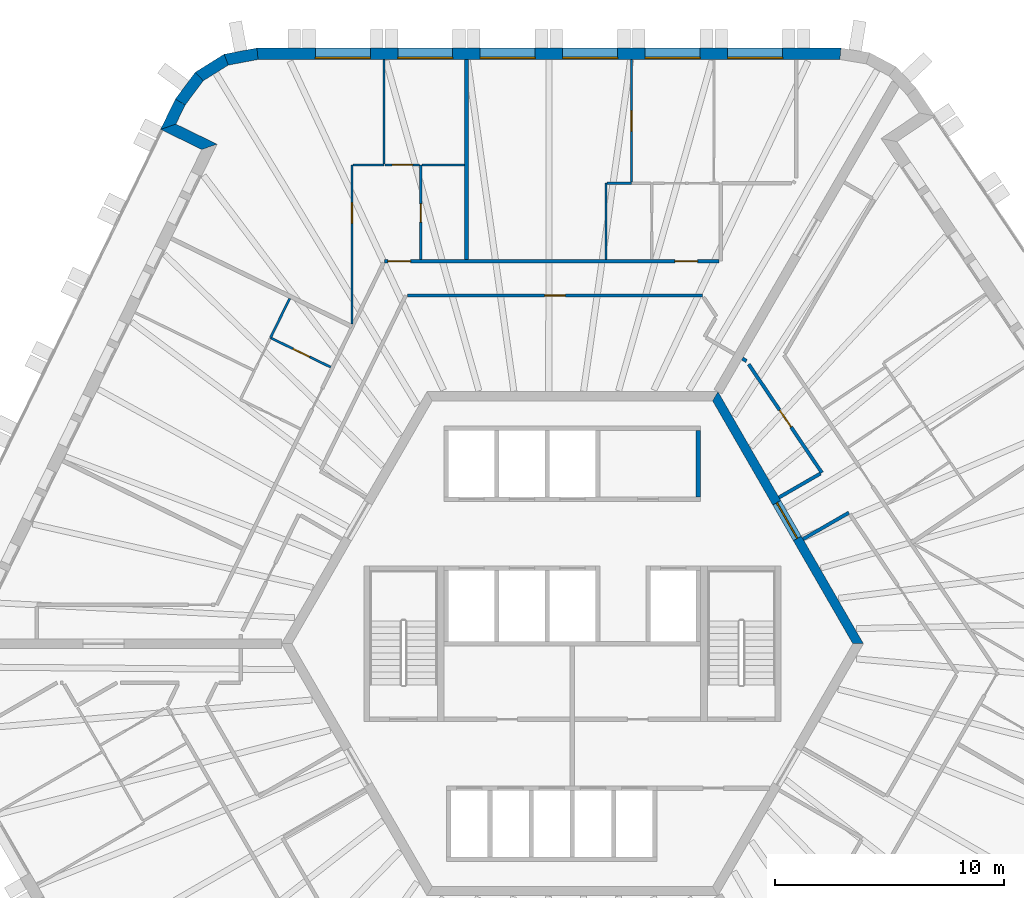
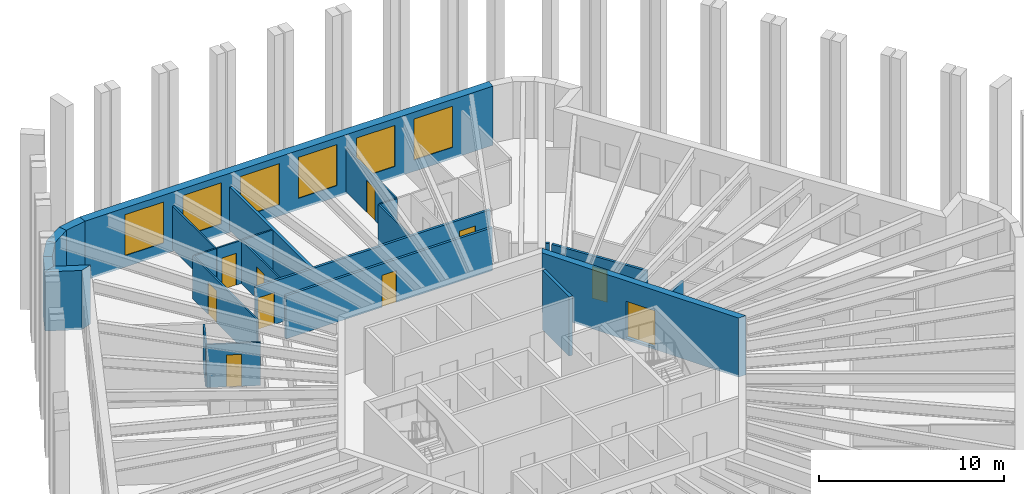
# One storey, part 9 of 13: 26 walls, 10 doors, 6 windows, 16 openings.
"""IFC4 building model written with IfcOpenShell, lengths in metres."""

from ifc_helpers import new_model, si_unit, direction, frame, frame_2d, origin, place, context, subcontext, project, spatial, polyline, rectangle, outline, extrude, material, layer, layer_set, type_object, element, fill, save


model = new_model("IFC4")

# Units and contexts
model_context = context("Model", 3, precision=1e-05, world=origin(), true_north=direction((0.0, 1.0)))
body_context = subcontext(model_context, "Body", "Model", "MODEL_VIEW")
ifc_project = project(units=[si_unit("LENGTHUNIT", "METRE"), si_unit("AREAUNIT", "SQUARE_METRE"), si_unit("VOLUMEUNIT", "CUBIC_METRE"), si_unit("PLANEANGLEUNIT", "RADIAN"), si_unit("MASSUNIT", "GRAM", prefix="KILO")], contexts=[model_context])

# Site, building, storey
site_placement = place(None, origin())
site = spatial("IfcSite", under=ifc_project, at=site_placement, CompositionType="ELEMENT")
building_placement = place(site_placement, origin())
building = spatial("IfcBuilding", under=site, at=building_placement, Name="Tarnside Tower", CompositionType="ELEMENT")
storey_placement = place(building_placement, frame((0.0, 0.0, 326.39990234375)))
storey = spatial("IfcBuildingStorey", under=building, at=storey_placement, Name="L79", CompositionType="ELEMENT", Elevation=326.39990234375)

# Walls
ifc_material_1 = material(Name="Gypsum board partition on steel studs", Category="steel")
ifc_layer_1 = layer(ifc_material_1, 0.10009765625)
ifc_layer_set_1 = layer_set([ifc_layer_1], Name="Bathroom wall 100")
wall_type_1 = type_object("IfcWallType", Name="Bathroom wall 100", PredefinedType="PARTITIONING", material=ifc_layer_set_1)
wall_1_placement = place(storey_placement, frame((1.467041015625, 16.77490234375, 0.0), z_axis=(0.0, 0.0, 1.0), x_axis=(0.0, 1.0, 0.0)))
element("IfcWall", 1, at=wall_1_placement, inside=storey, type_object=wall_type_1, Name="Bathroom wall 26084", PredefinedType="PARTITIONING", context=body_context, shape_type="SweptSolid", body=[
    extrude(rectangle(XDim=3.3251953125, YDim=0.10009765625, at=frame_2d((1.66259765625, 0.0))), origin(), (0.0, 0.0, 1.0), 2.837890625),
])
wall_2_placement = place(storey_placement, frame((1.51708984375, 20.10009765625, 0.0), z_axis=(0.0, 0.0, 1.0), x_axis=(1.0, 0.0, 0.0)))
element("IfcWall", 2, at=wall_2_placement, inside=storey, type_object=wall_type_1, Name="Bathroom wall 26085", PredefinedType="PARTITIONING", context=body_context, shape_type="SweptSolid", body=[
    extrude(rectangle(XDim=1.06005859375, YDim=0.10009765625, at=frame_2d((0.530029296875, 0.0))), origin(), (0.0, 0.0, 1.0), 2.837890625),
])

# Wall, opening, door
wall_3_placement = place(storey_placement, frame((-6.624755859375, 16.77490234375, 0.0), z_axis=(0.0, 0.0, 1.0), x_axis=(0.0, 1.0, 0.0)))
wall_3 = element("IfcWall", 3, at=wall_3_placement, inside=storey, type_object=wall_type_1, Name="Bathroom wall 26099", PredefinedType="PARTITIONING", context=body_context, shape_type="SweptSolid", body=[
    extrude(rectangle(XDim=4.125, YDim=0.10009765625, at=frame_2d((2.0625, 0.0))), origin(), (0.0, 0.0, 1.0), 2.837890625),
])
opening_1_placement = place(wall_3_placement, frame((1.625, 0.0, 0.0)))
opening_1 = element("IfcOpeningElement", 4, at=opening_1_placement, cuts=wall_3, Name="Opening D-B1", PredefinedType="OPENING", context=body_context, shape_type="SweptSolid", body=[
    extrude(rectangle(XDim=0.800048828125, YDim=2.10009765625, at=frame_2d((0.39990234375, 1.050048828125))), frame((0.0, 0.06005859375, 0.0), z_axis=(0.0, -1.0, 0.0), x_axis=(1.0, 0.0, 0.0)), (0.0, 0.0, 1.0), 0.1201171875),
])
ifc_material_2 = material(Name="Timber door leaf", Category="wood")
door_type_1 = type_object("IfcDoorType", Name="Bathroom door 800", OperationType="NOTDEFINED", PredefinedType="DOOR", material=ifc_material_2)
door_1_placement = place(opening_1_placement, origin())
door_1 = element("IfcDoor", 5, at=door_1_placement, inside=storey, type_object=door_type_1, Name="Bathroom door 26011", OperationType="SINGLE_SWING_RIGHT", OverallHeight=2.10009765625, OverallWidth=0.800048828125, PredefinedType="DOOR", context=body_context, shape_type="SweptSolid", body=[
    extrude(rectangle(XDim=0.800048828125, YDim=2.10009765625, at=frame_2d((0.39990234375, 1.050048828125))), frame((0.0, 0.02490234375, 0.0), z_axis=(0.0, -1.0, 0.0), x_axis=(1.0, 0.0, 0.0)), (0.0, 0.0, 1.0), 0.050048828125),
])
fill(opening_1, door_1)

# Wall
wall_4_placement = place(storey_placement, frame((-4.71484375, 20.89990234375, 0.0), z_axis=(0.0, 0.0, 1.0), x_axis=(-1.0, 0.0, 0.0)))
element("IfcWall", 6, at=wall_4_placement, inside=storey, type_object=wall_type_1, Name="Bathroom wall 26101", PredefinedType="PARTITIONING", context=body_context, shape_type="SweptSolid", body=[
    extrude(rectangle(XDim=1.862060546875, YDim=0.10009765625, at=frame_2d((0.93115234375, 0.0))), origin(), (0.0, 0.0, 1.0), 2.837890625),
])

# Wall, opening, door
wall_5_placement = place(storey_placement, frame((-10.551025390625, 12.07177734375, 0.0), z_axis=(0.0, 0.0, 1.0), x_axis=(-0.898790906006, 0.438377585285, 0.0)))
wall_5 = element("IfcWall", 7, at=wall_5_placement, inside=storey, type_object=wall_type_1, Name="Bathroom wall 26106", PredefinedType="PARTITIONING", context=body_context, shape_type="SweptSolid", body=[
    extrude(rectangle(XDim=2.925048828125, YDim=0.10009765625, at=frame_2d((1.46240234375, 0.0))), origin(), (0.0, 0.0, 1.0), 2.837890625),
])
opening_2_placement = place(wall_5_placement, frame((1.02490234375, 0.0, 0.0)))
opening_2 = element("IfcOpeningElement", 8, at=opening_2_placement, cuts=wall_5, Name="Opening D-B1", PredefinedType="OPENING", context=body_context, shape_type="SweptSolid", body=[
    extrude(rectangle(XDim=0.800048828125, YDim=2.10009765625, at=frame_2d((0.39990234375, 1.050048828125))), frame((0.0, 0.06005859375, 0.0), z_axis=(0.0, -1.0, 0.0), x_axis=(1.0, 0.0, 0.0)), (0.0, 0.0, 1.0), 0.1201171875),
])
door_2_placement = place(opening_2_placement, origin())
door_2 = element("IfcDoor", 9, at=door_2_placement, inside=storey, type_object=door_type_1, Name="Bathroom door 26015", OperationType="SINGLE_SWING_RIGHT", OverallHeight=2.10009765625, OverallWidth=0.800048828125, PredefinedType="DOOR", context=body_context, shape_type="SweptSolid", body=[
    extrude(rectangle(XDim=0.800048828125, YDim=2.10009765625, at=frame_2d((0.39990234375, 1.050048828125))), frame((0.0, 0.02490234375, 0.0), z_axis=(0.0, -1.0, 0.0), x_axis=(1.0, 0.0, 0.0)), (0.0, 0.0, 1.0), 0.050048828125),
])
fill(opening_2, door_2)

# Wall
wall_6_placement = place(storey_placement, frame((-12.342529296875, 15.070556640625, 0.0), z_axis=(0.0, 0.0, 1.0), x_axis=(-0.438458849983, -0.898751265296, 0.0)))
element("IfcWall", 10, at=wall_6_placement, inside=storey, type_object=wall_type_1, Name="Bathroom wall 26108", PredefinedType="PARTITIONING", context=body_context, shape_type="SweptSolid", body=[
    extrude(rectangle(XDim=1.912109375, YDim=0.10009765625, at=frame_2d((0.9560546875, 0.0))), origin(), (0.0, 0.0, 1.0), 2.837890625),
])

# Wall, opening, door
ifc_material_3 = material(Name="Concrete C60/75", Category="concrete")
ifc_layer_2 = layer(ifc_material_3, 0.39990234375)
ifc_layer_set_2 = layer_set([ifc_layer_2], Name="Core wall Z3 400 C60/75")
wall_type_2 = type_object("IfcWallType", Name="Core wall Z3 400 C60/75", PredefinedType="SHEAR", material=ifc_layer_set_2)
wall_7_placement = place(storey_placement, frame((12.470703125, 0.0, -0.14990234375), z_axis=(0.0, 0.0, 1.0), x_axis=(-0.499996419489, 0.866027470984, 0.0)))
wall_7 = element("IfcWall", 11, at=wall_7_placement, inside=storey, type_object=wall_type_2, Name="L79 core wall face 6", PredefinedType="SHEAR", context=body_context, shape_type="SweptSolid", body=[
    extrude(outline(polyline([(-0.115478515625, -0.199951171875), (12.586181640625, -0.199951171875), (12.355224609375, 0.199951171875), (0.115478515625, 0.199951171875), (-0.115478515625, -0.199951171875)])), origin(), (0.0, 0.0, 1.0), 3.89990234375),
])
opening_3_placement = place(wall_7_placement, frame((5.306396484375, 0.0, 0.14990234375)))
opening_3 = element("IfcOpeningElement", 12, at=opening_3_placement, cuts=wall_7, Name="Opening CD-LOB", PredefinedType="OPENING", context=body_context, shape_type="SweptSolid", body=[
    extrude(rectangle(XDim=1.800048828125, YDim=2.39990234375, at=frame_2d((0.89990234375, 1.199951171875))), frame((0.0, 0.2099609375, 0.0), z_axis=(0.0, -1.0, 0.0), x_axis=(1.0, 0.0, 0.0)), (0.0, 0.0, 1.0), 0.419921875),
])
ifc_material_4 = material(Name="Steel fire door", Category="steel")
door_type_2 = type_object("IfcDoorType", Name="Lobby double door FD30S 1800x2400", OperationType="NOTDEFINED", PredefinedType="DOOR", material=ifc_material_4)
door_3_placement = place(opening_3_placement, origin())
door_3 = element("IfcDoor", 13, at=door_3_placement, inside=storey, type_object=door_type_2, Name="L79 core door P2", OperationType="DOUBLE_DOOR_SINGLE_SWING", OverallHeight=2.39990234375, OverallWidth=1.800048828125, PredefinedType="DOOR", context=body_context, shape_type="SweptSolid", body=[
    extrude(rectangle(XDim=1.800048828125, YDim=2.39990234375, at=frame_2d((0.89990234375, 1.199951171875))), frame((0.0, 0.02490234375, 0.0), z_axis=(0.0, -1.0, 0.0), x_axis=(1.0, 0.0, 0.0)), (0.0, 0.0, 1.0), 0.050048828125),
])
fill(opening_3, door_3)

# Wall, openings, doors
ifc_layer_3 = layer(ifc_material_1, 0.14990234375)
ifc_layer_set_3 = layer_set([ifc_layer_3], Name="Corridor wall 150 EI 60")
wall_type_3 = type_object("IfcWallType", Name="Corridor wall 150 EI 60", PredefinedType="PARTITIONING", material=ifc_layer_set_3)
wall_8_placement = place(storey_placement, frame((6.39208984375, 16.699951171875, 0.0), z_axis=(0.0, 0.0, 1.0), x_axis=(-1.0, 0.0, 0.0)))
wall_8 = element("IfcWall", 14, at=wall_8_placement, inside=storey, type_object=wall_type_3, Name="Corridor wall 26001", PredefinedType="PARTITIONING", context=body_context, shape_type="SweptSolid", body=[
    extrude(rectangle(XDim=14.602294921875, YDim=0.14990234375, at=frame_2d((7.30126953125, 0.0))), origin(), (0.0, 0.0, 1.0), 2.837890625),
])
opening_4_placement = place(wall_8_placement, frame((0.925048828125, 0.0, 0.0)))
opening_4 = element("IfcOpeningElement", 15, at=opening_4_placement, cuts=wall_8, Name="Opening D-E1", PredefinedType="OPENING", context=body_context, shape_type="SweptSolid", body=[
    extrude(rectangle(XDim=1.0, YDim=2.10009765625, at=frame_2d((0.5, 1.050048828125))), frame((0.0, 0.0849609375, 0.0), z_axis=(0.0, -1.0, 0.0), x_axis=(1.0, 0.0, 0.0)), (0.0, 0.0, 1.0), 0.169921875),
])
opening_5_placement = place(wall_8_placement, frame((13.4521484375, 0.0, 0.0)))
opening_5 = element("IfcOpeningElement", 16, at=opening_5_placement, cuts=wall_8, Name="Opening D-E1", PredefinedType="OPENING", context=body_context, shape_type="SweptSolid", body=[
    extrude(rectangle(XDim=1.0, YDim=2.10009765625, at=frame_2d((0.5, 1.050048828125))), frame((0.0, 0.0849609375, 0.0), z_axis=(0.0, -1.0, 0.0), x_axis=(1.0, 0.0, 0.0)), (0.0, 0.0, 1.0), 0.169921875),
])
door_type_3 = type_object("IfcDoorType", Name="Unit entrance door 1000 FD30S", OperationType="NOTDEFINED", PredefinedType="DOOR", material=ifc_material_2)
door_4_placement = place(opening_4_placement, origin())
door_4 = element("IfcDoor", 17, at=door_4_placement, inside=storey, type_object=door_type_3, Name="Unit door 26001", OperationType="SINGLE_SWING_RIGHT", OverallHeight=2.10009765625, OverallWidth=1.0, PredefinedType="DOOR", context=body_context, shape_type="SweptSolid", body=[
    extrude(rectangle(XDim=1.0, YDim=2.10009765625, at=frame_2d((0.5, 1.050048828125))), frame((0.0, 0.02490234375, 0.0), z_axis=(0.0, -1.0, 0.0), x_axis=(1.0, 0.0, 0.0)), (0.0, 0.0, 1.0), 0.050048828125),
])
fill(opening_4, door_4)
door_5_placement = place(opening_5_placement, origin())
door_5 = element("IfcDoor", 18, at=door_5_placement, inside=storey, type_object=door_type_3, Name="Unit door 26010", OperationType="SINGLE_SWING_LEFT", OverallHeight=2.10009765625, OverallWidth=1.0, PredefinedType="DOOR", context=body_context, shape_type="SweptSolid", body=[
    extrude(rectangle(XDim=1.0, YDim=2.10009765625, at=frame_2d((0.5, 1.050048828125))), frame((0.0, 0.02490234375, 0.0), z_axis=(0.0, -1.0, 0.0), x_axis=(1.0, 0.0, 0.0)), (0.0, 0.0, 1.0), 0.050048828125),
])
fill(opening_5, door_5)

# Wall, opening, door
wall_9_placement = place(storey_placement, frame((-7.189453125, 15.199951171875, 0.0), z_axis=(0.0, 0.0, 1.0), x_axis=(1.0, 0.0, 0.0)))
wall_9 = element("IfcWall", 19, at=wall_9_placement, inside=storey, type_object=wall_type_3, Name="Corridor wall 26019", PredefinedType="PARTITIONING", context=body_context, shape_type="SweptSolid", body=[
    extrude(rectangle(XDim=12.85888671875, YDim=0.14990234375, at=frame_2d((6.429443359375, 0.0))), origin(), (0.0, 0.0, 1.0), 2.837890625),
])
opening_6_placement = place(wall_9_placement, frame((5.9794921875, 0.0, 0.0)))
opening_6 = element("IfcOpeningElement", 20, at=opening_6_placement, cuts=wall_9, Name="Opening D-S1", PredefinedType="OPENING", context=body_context, shape_type="SweptSolid", body=[
    extrude(rectangle(XDim=0.89990234375, YDim=2.10009765625, at=frame_2d((0.449951171875, 1.050048828125))), frame((0.0, 0.0849609375, 0.0), z_axis=(0.0, -1.0, 0.0), x_axis=(1.0, 0.0, 0.0)), (0.0, 0.0, 1.0), 0.169921875),
])
door_type_4 = type_object("IfcDoorType", Name="Service room door 900 FD30S", OperationType="NOTDEFINED", PredefinedType="DOOR", material=ifc_material_2)
door_6_placement = place(opening_6_placement, origin())
door_6 = element("IfcDoor", 21, at=door_6_placement, inside=storey, type_object=door_type_4, Name="Service door 26072", OperationType="SINGLE_SWING_LEFT", OverallHeight=2.10009765625, OverallWidth=0.89990234375, PredefinedType="DOOR", context=body_context, shape_type="SweptSolid", body=[
    extrude(rectangle(XDim=0.89990234375, YDim=2.10009765625, at=frame_2d((0.449951171875, 1.050048828125))), frame((0.0, 0.02490234375, 0.0), z_axis=(0.0, -1.0, 0.0), x_axis=(1.0, 0.0, 0.0)), (0.0, 0.0, 1.0), 0.050048828125),
])
fill(opening_6, door_6)

# Walls
wall_10_placement = place(storey_placement, frame((10.065673828125, 4.565673828125, 0.0), z_axis=(0.0, 0.0, 1.0), x_axis=(0.866034075723, 0.499984979461, 0.0)))
element("IfcWall", 22, at=wall_10_placement, inside=storey, type_object=wall_type_3, Name="Corridor wall 26077", PredefinedType="PARTITIONING", context=body_context, shape_type="SweptSolid", body=[
    extrude(rectangle(XDim=2.3076171875, YDim=0.14990234375, at=frame_2d((1.15380859375, 0.0))), origin(), (0.0, 0.0, 1.0), 2.837890625),
])
wall_11_placement = place(storey_placement, frame((7.416259765625, 12.445556640625, 0.0), z_axis=(0.0, 0.0, 1.0), x_axis=(0.866378867349, -0.499387282788, 0.0)))
element("IfcWall", 23, at=wall_11_placement, inside=storey, type_object=wall_type_3, Name="Corridor wall 26081", PredefinedType="PARTITIONING", context=body_context, shape_type="SweptSolid", body=[
    extrude(rectangle(XDim=0.210205078125, YDim=0.14990234375, at=frame_2d((0.10498046875, 0.0))), origin(), (0.0, 0.0, 1.0), 2.837890625),
])

# Wall, opening, door
wall_12_placement = place(storey_placement, frame((7.69384765625, 12.19873046875, 0.0), z_axis=(0.0, 0.0, 1.0), x_axis=(0.55920112739, -0.829032025392, 0.0)))
wall_12 = element("IfcWall", 24, at=wall_12_placement, inside=storey, type_object=wall_type_3, Name="Corridor wall 26082", PredefinedType="PARTITIONING", context=body_context, shape_type="SweptSolid", body=[
    extrude(rectangle(XDim=5.710205078125, YDim=0.14990234375, at=frame_2d((2.85498046875, 0.0))), origin(), (0.0, 0.0, 1.0), 2.837890625),
])
opening_7_placement = place(wall_12_placement, frame((2.405029296875, 0.0, 0.0)))
opening_7 = element("IfcOpeningElement", 25, at=opening_7_placement, cuts=wall_12, Name="Opening D-S1", PredefinedType="OPENING", context=body_context, shape_type="SweptSolid", body=[
    extrude(rectangle(XDim=0.89990234375, YDim=2.10009765625, at=frame_2d((0.449951171875, 1.050048828125))), frame((0.0, 0.0849609375, 0.0), z_axis=(0.0, -1.0, 0.0), x_axis=(1.0, 0.0, 0.0)), (0.0, 0.0, 1.0), 0.169921875),
])
door_7_placement = place(opening_7_placement, origin())
door_7 = element("IfcDoor", 26, at=door_7_placement, inside=storey, type_object=door_type_4, Name="Service door 26077", OperationType="SINGLE_SWING_RIGHT", OverallHeight=2.10009765625, OverallWidth=0.89990234375, PredefinedType="DOOR", context=body_context, shape_type="SweptSolid", body=[
    extrude(rectangle(XDim=0.89990234375, YDim=2.10009765625, at=frame_2d((0.449951171875, 1.050048828125))), frame((0.0, 0.02490234375, 0.0), z_axis=(0.0, -1.0, 0.0), x_axis=(1.0, 0.0, 0.0)), (0.0, 0.0, 1.0), 0.050048828125),
])
fill(opening_7, door_7)

# Walls
wall_13_placement = place(storey_placement, frame((10.822021484375, 7.42724609375, 0.0), z_axis=(0.0, 0.0, 1.0), x_axis=(-0.866016009309, -0.500016271356, 0.0)))
element("IfcWall", 27, at=wall_13_placement, inside=storey, type_object=wall_type_3, Name="Corridor wall 26083", PredefinedType="PARTITIONING", context=body_context, shape_type="SweptSolid", body=[
    extrude(rectangle(XDim=2.0859375, YDim=0.14990234375, at=frame_2d((1.04296875, 0.0))), origin(), (0.0, 0.0, 1.0), 2.837890625),
])
ifc_layer_4 = layer(ifc_material_1, 0.179931640625)
ifc_layer_set_4 = layer_set([ifc_layer_4], Name="Demising wall 180 EI 60")
wall_type_4 = type_object("IfcWallType", Name="Demising wall 180 EI 60", PredefinedType="PARTITIONING", material=ifc_layer_set_4)
wall_14_placement = place(storey_placement, frame((-4.624755859375, 25.5, 0.0), z_axis=(0.0, 0.0, 1.0), x_axis=(0.0, -1.0, 0.0)))
element("IfcWall", 28, at=wall_14_placement, inside=storey, type_object=wall_type_4, Name="Demising wall 26087", PredefinedType="PARTITIONING", context=body_context, shape_type="SweptSolid", body=[
    extrude(rectangle(XDim=8.72509765625, YDim=0.179931640625, at=frame_2d((4.362548828125, 0.0))), origin(), (0.0, 0.0, 1.0), 2.837890625),
])
ifc_material_5 = material(Name="Concrete C40/50", Category="concrete")
ifc_layer_5 = layer(ifc_material_5, 0.199951171875)
ifc_layer_set_5 = layer_set([ifc_layer_5], Name="Lift shaft wall 200 C40/50")
wall_type_5 = type_object("IfcWallType", Name="Lift shaft wall 200 C40/50", PredefinedType="SHEAR", material=ifc_layer_set_5)
wall_15_placement = place(storey_placement, frame((5.5, 6.39990234375, -0.25), z_axis=(0.0, 0.0, 1.0), x_axis=(0.0, 1.0, 0.0)))
element("IfcWall", 29, at=wall_15_placement, inside=storey, type_object=wall_type_5, Name="L79 lift shaft partition R16", PredefinedType="SHEAR", context=body_context, shape_type="SweptSolid", body=[
    extrude(rectangle(XDim=2.900146484375, YDim=0.199951171875, at=frame_2d((1.4501953125, 0.0))), origin(), (0.0, 0.0, 1.0), 3.900146484375),
])
ifc_material_6 = material(Name="Dark zinc cladding")
ifc_layer_6 = layer(ifc_material_6, 0.10205078125)
ifc_material_7 = material(Name="Concrete C60/75 precast", Category="concrete")
ifc_layer_7 = layer(ifc_material_7, 0.298095703125)
ifc_material_8 = material(Name="Mineral wool insulation")
ifc_layer_8 = layer(ifc_material_8, 0.10009765625)
ifc_layer_set_6 = layer_set([ifc_layer_6, ifc_layer_7, ifc_layer_8], Name="Loggia wall 500 zinc faced")
wall_type_6 = type_object("IfcWallType", Name="Loggia wall 500 zinc faced", PredefinedType="SOLIDWALL", material=ifc_layer_set_6)
wall_16_placement = place(storey_placement, frame((-17.11767578125, 23.643798828125, -0.14990234375), z_axis=(0.0, 0.0, 1.0), x_axis=(-0.438319390103, -0.898819287877, 0.0)))
element("IfcWall", 30, at=wall_16_placement, inside=storey, type_object=wall_type_6, Name="Tube wall L79 F2 stub 04", PredefinedType="SOLIDWALL", context=body_context, shape_type="SweptSolid", body=[
    extrude(outline(polyline([(-0.0234375, -0.25), (1.44970703125, -0.25), (0.94970703125, 0.25), (0.0234375, 0.25), (-0.0234375, -0.25)])), origin(), (0.0, 0.0, 1.0), 3.89990234375),
])
wall_17_placement = place(storey_placement, frame((-17.6435546875, 22.5654296875, -0.14990234375), z_axis=(0.0, 0.0, 1.0), x_axis=(0.898754367686, -0.43845249066, 0.0)))
element("IfcWall", 31, at=wall_17_placement, inside=storey, type_object=wall_type_6, Name="Tube wall L79 F2 return 05", PredefinedType="SOLIDWALL", context=body_context, shape_type="SweptSolid", body=[
    extrude(outline(polyline([(-0.25, -0.25), (1.75, -0.25), (2.25, 0.25), (0.25, 0.25), (-0.25, -0.25)])), origin(), (0.0, 0.0, 1.0), 3.89990234375),
])

# Wall, opening, door
ifc_layer_9 = layer(ifc_material_1, 0.10009765625)
ifc_layer_set_7 = layer_set([ifc_layer_9], Name="Partition 100")
wall_type_7 = type_object("IfcWallType", Name="Partition 100", PredefinedType="PARTITIONING", material=ifc_layer_set_7)
wall_18_placement = place(storey_placement, frame((2.5751953125, 20.14990234375, 0.0), z_axis=(0.0, 0.0, 1.0), x_axis=(0.0, 1.0, 0.0)))
wall_18 = element("IfcWall", 32, at=wall_18_placement, inside=storey, type_object=wall_type_7, Name="Partition wall 26086", PredefinedType="PARTITIONING", context=body_context, shape_type="SweptSolid", body=[
    extrude(rectangle(XDim=5.35009765625, YDim=0.10009765625, at=frame_2d((2.675048828125, 0.0))), origin(), (0.0, 0.0, 1.0), 2.837890625),
])
opening_8_placement = place(wall_18_placement, frame((2.22509765625, 0.0, 0.0)))
opening_8 = element("IfcOpeningElement", 33, at=opening_8_placement, cuts=wall_18, Name="Opening D-I1", PredefinedType="OPENING", context=body_context, shape_type="SweptSolid", body=[
    extrude(rectangle(XDim=0.89990234375, YDim=2.10009765625, at=frame_2d((0.449951171875, 1.050048828125))), frame((0.0, 0.06005859375, 0.0), z_axis=(0.0, -1.0, 0.0), x_axis=(1.0, 0.0, 0.0)), (0.0, 0.0, 1.0), 0.1201171875),
])
door_type_5 = type_object("IfcDoorType", Name="Internal door 900", OperationType="NOTDEFINED", PredefinedType="DOOR", material=ifc_material_2)
door_8_placement = place(opening_8_placement, origin())
door_8 = element("IfcDoor", 34, at=door_8_placement, inside=storey, type_object=door_type_5, Name="Internal door 26070", OperationType="SINGLE_SWING_LEFT", OverallHeight=2.10009765625, OverallWidth=0.89990234375, PredefinedType="DOOR", context=body_context, shape_type="SweptSolid", body=[
    extrude(rectangle(XDim=0.89990234375, YDim=2.10009765625, at=frame_2d((0.449951171875, 1.050048828125))), frame((0.0, 0.02490234375, 0.0), z_axis=(0.0, -1.0, 0.0), x_axis=(1.0, 0.0, 0.0)), (0.0, 0.0, 1.0), 0.050048828125),
])
fill(opening_8, door_8)

wall_19_placement = place(storey_placement, frame((-9.624755859375, 13.9453125, 0.0), z_axis=(0.0, 0.0, 1.0), x_axis=(0.0, 1.0, 0.0)))
wall_19 = element("IfcWall", 35, at=wall_19_placement, inside=storey, type_object=wall_type_7, Name="Partition wall 26094", PredefinedType="PARTITIONING", context=body_context, shape_type="SweptSolid", body=[
    extrude(rectangle(XDim=6.95458984375, YDim=0.10009765625, at=frame_2d((3.477294921875, 0.0))), origin(), (0.0, 0.0, 1.0), 2.837890625),
])
opening_9_placement = place(wall_19_placement, frame((4.40478515625, 0.0, 0.0)))
opening_9 = element("IfcOpeningElement", 36, at=opening_9_placement, cuts=wall_19, Name="Opening D-I1", PredefinedType="OPENING", context=body_context, shape_type="SweptSolid", body=[
    extrude(rectangle(XDim=0.89990234375, YDim=2.10009765625, at=frame_2d((0.449951171875, 1.050048828125))), frame((0.0, 0.06005859375, 0.0), z_axis=(0.0, -1.0, 0.0), x_axis=(1.0, 0.0, 0.0)), (0.0, 0.0, 1.0), 0.1201171875),
])
door_9_placement = place(opening_9_placement, origin())
door_9 = element("IfcDoor", 37, at=door_9_placement, inside=storey, type_object=door_type_5, Name="Internal door 26012", OperationType="SINGLE_SWING_LEFT", OverallHeight=2.10009765625, OverallWidth=0.89990234375, PredefinedType="DOOR", context=body_context, shape_type="SweptSolid", body=[
    extrude(rectangle(XDim=0.89990234375, YDim=2.10009765625, at=frame_2d((0.449951171875, 1.050048828125))), frame((0.0, 0.02490234375, 0.0), z_axis=(0.0, -1.0, 0.0), x_axis=(1.0, 0.0, 0.0)), (0.0, 0.0, 1.0), 0.050048828125),
])
fill(opening_9, door_9)

# Walls
wall_20_placement = place(storey_placement, frame((-9.57470703125, 20.89990234375, 0.0), z_axis=(0.0, 0.0, 1.0), x_axis=(1.0, 0.0, 0.0)))
element("IfcWall", 38, at=wall_20_placement, inside=storey, type_object=wall_type_7, Name="Partition wall 26095", PredefinedType="PARTITIONING", context=body_context, shape_type="SweptSolid", body=[
    extrude(rectangle(XDim=1.351806640625, YDim=0.10009765625, at=frame_2d((0.67578125, 0.0))), origin(), (0.0, 0.0, 1.0), 2.837890625),
])
wall_21_placement = place(storey_placement, frame((-8.224853515625, 20.949951171875, 0.0), z_axis=(0.0, 0.0, 1.0), x_axis=(0.0, 1.0, 0.0)))
element("IfcWall", 39, at=wall_21_placement, inside=storey, type_object=wall_type_7, Name="Partition wall 26096", PredefinedType="PARTITIONING", context=body_context, shape_type="SweptSolid", body=[
    extrude(rectangle(XDim=4.550048828125, YDim=0.10009765625, at=frame_2d((2.27490234375, 0.0))), origin(), (0.0, 0.0, 1.0), 2.837890625),
])

# Wall, opening, door
wall_22_placement = place(storey_placement, frame((-6.6728515625, 20.89990234375, 0.0), z_axis=(0.0, 0.0, 1.0), x_axis=(-1.0, 0.0, 0.0)))
wall_22 = element("IfcWall", 40, at=wall_22_placement, inside=storey, type_object=wall_type_7, Name="Partition wall 26100", PredefinedType="PARTITIONING", context=body_context, shape_type="SweptSolid", body=[
    extrude(rectangle(XDim=1.501953125, YDim=0.10009765625, at=frame_2d((0.7509765625, 0.0))), origin(), (0.0, 0.0, 1.0), 2.837890625),
])
opening_10_placement = place(wall_22_placement, frame((0.302001953125, 0.0, 0.0)))
opening_10 = element("IfcOpeningElement", 41, at=opening_10_placement, cuts=wall_22, Name="Opening D-I1", PredefinedType="OPENING", context=body_context, shape_type="SweptSolid", body=[
    extrude(rectangle(XDim=0.89990234375, YDim=2.10009765625, at=frame_2d((0.449951171875, 1.050048828125))), frame((0.0, 0.06005859375, 0.0), z_axis=(0.0, -1.0, 0.0), x_axis=(1.0, 0.0, 0.0)), (0.0, 0.0, 1.0), 0.1201171875),
])
door_10_placement = place(opening_10_placement, origin())
door_10 = element("IfcDoor", 42, at=door_10_placement, inside=storey, type_object=door_type_5, Name="Internal door 26013", OperationType="SINGLE_SWING_RIGHT", OverallHeight=2.10009765625, OverallWidth=0.89990234375, PredefinedType="DOOR", context=body_context, shape_type="SweptSolid", body=[
    extrude(rectangle(XDim=0.89990234375, YDim=2.10009765625, at=frame_2d((0.449951171875, 1.050048828125))), frame((0.0, 0.02490234375, 0.0), z_axis=(0.0, -1.0, 0.0), x_axis=(1.0, 0.0, 0.0)), (0.0, 0.0, 1.0), 0.050048828125),
])
fill(opening_10, door_10)

# Wall, openings, windows
ifc_material_9 = material(Name="Facing brick", Category="masonry")
ifc_layer_10 = layer(ifc_material_9, 0.10205078125)
ifc_layer_11 = layer(ifc_material_7, 0.298095703125)
ifc_layer_12 = layer(ifc_material_8, 0.10009765625)
ifc_layer_set_8 = layer_set([ifc_layer_10, ifc_layer_11, ifc_layer_12], Name="Tube wall 500 brick faced")
wall_type_8 = type_object("IfcWallType", Name="Tube wall 500 brick faced", PredefinedType="SOLIDWALL", material=ifc_layer_set_8)
wall_23_placement = place(storey_placement, frame((11.697509765625, 25.75, -0.14990234375), z_axis=(0.0, 0.0, 1.0), x_axis=(-1.0, 0.0, 0.0)))
wall_23 = element("IfcWall", 43, at=wall_23_placement, inside=storey, type_object=wall_type_8, Name="Tube wall L79 F1 flush 00", PredefinedType="SOLIDWALL", context=body_context, shape_type="SweptSolid", body=[
    extrude(outline(polyline([(-0.0205078125, -0.25), (25.468017578125, -0.25), (25.421142578125, 0.25), (0.0205078125, 0.25), (-0.0205078125, -0.25)])), origin(), (0.0, 0.0, 1.0), 3.89990234375),
])
opening_11_placement = place(wall_23_placement, frame((2.5224609375, 0.0, 0.75)))
opening_11 = element("IfcOpeningElement", 44, at=opening_11_placement, cuts=wall_23, Name="Opening WR", PredefinedType="OPENING", context=body_context, shape_type="SweptSolid", body=[
    extrude(rectangle(XDim=2.39990234375, YDim=2.699951171875, at=frame_2d((1.199951171875, 1.35009765625))), frame((0.0, 0.260009765625, 0.0), z_axis=(0.0, -1.0, 0.0), x_axis=(1.0, 0.0, 0.0)), (0.0, 0.0, 1.0), 0.52001953125),
])
opening_12_placement = place(wall_23_placement, frame((6.122314453125, 0.0, 0.75)))
opening_12 = element("IfcOpeningElement", 45, at=opening_12_placement, cuts=wall_23, Name="Opening WR", PredefinedType="OPENING", context=body_context, shape_type="SweptSolid", body=[
    extrude(rectangle(XDim=2.39990234375, YDim=2.699951171875, at=frame_2d((1.199951171875, 1.35009765625))), frame((0.0, 0.260009765625, 0.0), z_axis=(0.0, -1.0, 0.0), x_axis=(1.0, 0.0, 0.0)), (0.0, 0.0, 1.0), 0.52001953125),
])
opening_13_placement = place(wall_23_placement, frame((9.722412109375, 0.0, 0.75)))
opening_13 = element("IfcOpeningElement", 46, at=opening_13_placement, cuts=wall_23, Name="Opening WR", PredefinedType="OPENING", context=body_context, shape_type="SweptSolid", body=[
    extrude(rectangle(XDim=2.39990234375, YDim=2.699951171875, at=frame_2d((1.199951171875, 1.35009765625))), frame((0.0, 0.260009765625, 0.0), z_axis=(0.0, -1.0, 0.0), x_axis=(1.0, 0.0, 0.0)), (0.0, 0.0, 1.0), 0.52001953125),
])
opening_14_placement = place(wall_23_placement, frame((13.322509765625, 0.0, 0.75)))
opening_14 = element("IfcOpeningElement", 47, at=opening_14_placement, cuts=wall_23, Name="Opening WR", PredefinedType="OPENING", context=body_context, shape_type="SweptSolid", body=[
    extrude(rectangle(XDim=2.39990234375, YDim=2.699951171875, at=frame_2d((1.199951171875, 1.35009765625))), frame((0.0, 0.260009765625, 0.0), z_axis=(0.0, -1.0, 0.0), x_axis=(1.0, 0.0, 0.0)), (0.0, 0.0, 1.0), 0.52001953125),
])
opening_15_placement = place(wall_23_placement, frame((16.92236328125, 0.0, 0.75)))
opening_15 = element("IfcOpeningElement", 48, at=opening_15_placement, cuts=wall_23, Name="Opening WR", PredefinedType="OPENING", context=body_context, shape_type="SweptSolid", body=[
    extrude(rectangle(XDim=2.39990234375, YDim=2.699951171875, at=frame_2d((1.199951171875, 1.35009765625))), frame((0.0, 0.260009765625, 0.0), z_axis=(0.0, -1.0, 0.0), x_axis=(1.0, 0.0, 0.0)), (0.0, 0.0, 1.0), 0.52001953125),
])
opening_16_placement = place(wall_23_placement, frame((20.5224609375, 0.0, 0.75)))
opening_16 = element("IfcOpeningElement", 49, at=opening_16_placement, cuts=wall_23, Name="Opening WR", PredefinedType="OPENING", context=body_context, shape_type="SweptSolid", body=[
    extrude(rectangle(XDim=2.39990234375, YDim=2.699951171875, at=frame_2d((1.199951171875, 1.35009765625))), frame((0.0, 0.260009765625, 0.0), z_axis=(0.0, -1.0, 0.0), x_axis=(1.0, 0.0, 0.0)), (0.0, 0.0, 1.0), 0.52001953125),
])
ifc_material_10 = material(Name="Aluminium-framed double glazing", Category="aluminium")
window_type = type_object("IfcWindowType", Name="Residence window 2400 x 2700", PartitioningType="DOUBLE_PANEL_VERTICAL", PredefinedType="WINDOW", material=ifc_material_10)
window_1_placement = place(opening_11_placement, frame((0.0, 0.179931640625, 0.0)))
window_1 = element("IfcWindow", 50, at=window_1_placement, inside=storey, type_object=window_type, Name="E.WN.L79.F1.00", OverallHeight=2.699951171875, OverallWidth=2.39990234375, PartitioningType="DOUBLE_PANEL_VERTICAL", PredefinedType="WINDOW", context=body_context, shape_type="SweptSolid", body=[
    extrude(rectangle(XDim=2.39990234375, YDim=2.699951171875, at=frame_2d((1.199951171875, 1.35009765625))), frame((0.0, 0.030029296875, 0.0), z_axis=(0.0, -1.0, 0.0), x_axis=(1.0, 0.0, 0.0)), (0.0, 0.0, 1.0), 0.06005859375),
])
fill(opening_11, window_1)
window_2_placement = place(opening_12_placement, frame((0.0, 0.179931640625, 0.0)))
window_2 = element("IfcWindow", 51, at=window_2_placement, inside=storey, type_object=window_type, Name="E.WN.L79.F1.01", OverallHeight=2.699951171875, OverallWidth=2.39990234375, PartitioningType="DOUBLE_PANEL_VERTICAL", PredefinedType="WINDOW", context=body_context, shape_type="SweptSolid", body=[
    extrude(rectangle(XDim=2.39990234375, YDim=2.699951171875, at=frame_2d((1.199951171875, 1.35009765625))), frame((0.0, 0.030029296875, 0.0), z_axis=(0.0, -1.0, 0.0), x_axis=(1.0, 0.0, 0.0)), (0.0, 0.0, 1.0), 0.06005859375),
])
fill(opening_12, window_2)
window_3_placement = place(opening_13_placement, frame((0.0, 0.179931640625, 0.0)))
window_3 = element("IfcWindow", 52, at=window_3_placement, inside=storey, type_object=window_type, Name="E.WN.L79.F1.02", OverallHeight=2.699951171875, OverallWidth=2.39990234375, PartitioningType="DOUBLE_PANEL_VERTICAL", PredefinedType="WINDOW", context=body_context, shape_type="SweptSolid", body=[
    extrude(rectangle(XDim=2.39990234375, YDim=2.699951171875, at=frame_2d((1.199951171875, 1.35009765625))), frame((0.0, 0.030029296875, 0.0), z_axis=(0.0, -1.0, 0.0), x_axis=(1.0, 0.0, 0.0)), (0.0, 0.0, 1.0), 0.06005859375),
])
fill(opening_13, window_3)
window_4_placement = place(opening_14_placement, frame((0.0, 0.179931640625, 0.0)))
window_4 = element("IfcWindow", 53, at=window_4_placement, inside=storey, type_object=window_type, Name="E.WN.L79.F1.03", OverallHeight=2.699951171875, OverallWidth=2.39990234375, PartitioningType="DOUBLE_PANEL_VERTICAL", PredefinedType="WINDOW", context=body_context, shape_type="SweptSolid", body=[
    extrude(rectangle(XDim=2.39990234375, YDim=2.699951171875, at=frame_2d((1.199951171875, 1.35009765625))), frame((0.0, 0.030029296875, 0.0), z_axis=(0.0, -1.0, 0.0), x_axis=(1.0, 0.0, 0.0)), (0.0, 0.0, 1.0), 0.06005859375),
])
fill(opening_14, window_4)
window_5_placement = place(opening_15_placement, frame((0.0, 0.179931640625, 0.0)))
window_5 = element("IfcWindow", 54, at=window_5_placement, inside=storey, type_object=window_type, Name="E.WN.L79.F1.04", OverallHeight=2.699951171875, OverallWidth=2.39990234375, PartitioningType="DOUBLE_PANEL_VERTICAL", PredefinedType="WINDOW", context=body_context, shape_type="SweptSolid", body=[
    extrude(rectangle(XDim=2.39990234375, YDim=2.699951171875, at=frame_2d((1.199951171875, 1.35009765625))), frame((0.0, 0.030029296875, 0.0), z_axis=(0.0, -1.0, 0.0), x_axis=(1.0, 0.0, 0.0)), (0.0, 0.0, 1.0), 0.06005859375),
])
fill(opening_15, window_5)
window_6_placement = place(opening_16_placement, frame((0.0, 0.179931640625, 0.0)))
window_6 = element("IfcWindow", 55, at=window_6_placement, inside=storey, type_object=window_type, Name="E.WN.L79.F1.05", OverallHeight=2.699951171875, OverallWidth=2.39990234375, PartitioningType="DOUBLE_PANEL_VERTICAL", PredefinedType="WINDOW", context=body_context, shape_type="SweptSolid", body=[
    extrude(rectangle(XDim=2.39990234375, YDim=2.699951171875, at=frame_2d((1.199951171875, 1.35009765625))), frame((0.0, 0.030029296875, 0.0), z_axis=(0.0, -1.0, 0.0), x_axis=(1.0, 0.0, 0.0)), (0.0, 0.0, 1.0), 0.06005859375),
])
fill(opening_16, window_6)

# Walls
wall_24_placement = place(storey_placement, frame((-13.7470703125, 25.75, -0.14990234375), z_axis=(0.0, 0.0, 1.0), x_axis=(-0.982736538448, -0.185010529429, 0.0)))
element("IfcWall", 56, at=wall_24_placement, inside=storey, type_object=wall_type_8, Name="Tube wall L79 F1 chord 01", PredefinedType="SOLIDWALL", context=body_context, shape_type="SweptSolid", body=[
    extrude(outline(polyline([(-0.0234375, -0.25), (1.435302734375, -0.25), (1.341064453125, 0.25), (0.0234375, 0.25), (-0.0234375, -0.25)])), origin(), (0.0, 0.0, 1.0), 3.89990234375),
])
wall_25_placement = place(storey_placement, frame((-15.111328125, 25.4931640625, -0.14990234375), z_axis=(0.0, 0.0, 1.0), x_axis=(-0.847978544293, -0.530030554231, 0.0)))
element("IfcWall", 57, at=wall_25_placement, inside=storey, type_object=wall_type_8, Name="Tube wall L79 F1 chord 02", PredefinedType="SOLIDWALL", context=body_context, shape_type="SweptSolid", body=[
    extrude(outline(polyline([(-0.047119140625, -0.25), (1.435302734375, -0.25), (1.341064453125, 0.25), (0.047119140625, 0.25), (-0.047119140625, -0.25)])), origin(), (0.0, 0.0, 1.0), 3.89990234375),
])
wall_26_placement = place(storey_placement, frame((-16.28857421875, 24.75732421875, -0.14990234375), z_axis=(0.0, 0.0, 1.0), x_axis=(-0.597210785942, -0.802084332945, 0.0)))
element("IfcWall", 58, at=wall_26_placement, inside=storey, type_object=wall_type_8, Name="Tube wall L79 F1 chord 03", PredefinedType="SOLIDWALL", context=body_context, shape_type="SweptSolid", body=[
    extrude(outline(polyline([(-0.047119140625, -0.25), (1.41162109375, -0.25), (1.36474609375, 0.25), (0.047119140625, 0.25), (-0.047119140625, -0.25)])), origin(), (0.0, 0.0, 1.0), 3.89990234375),
])

save(model, "model.ifc")
